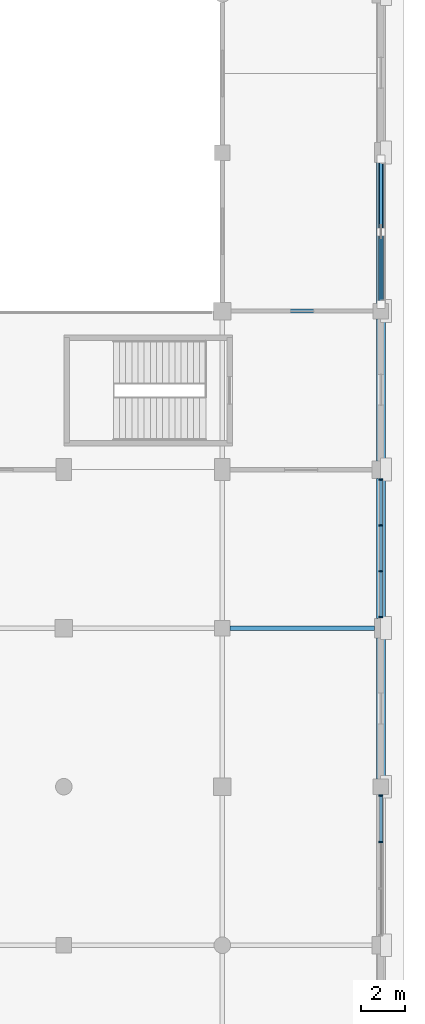
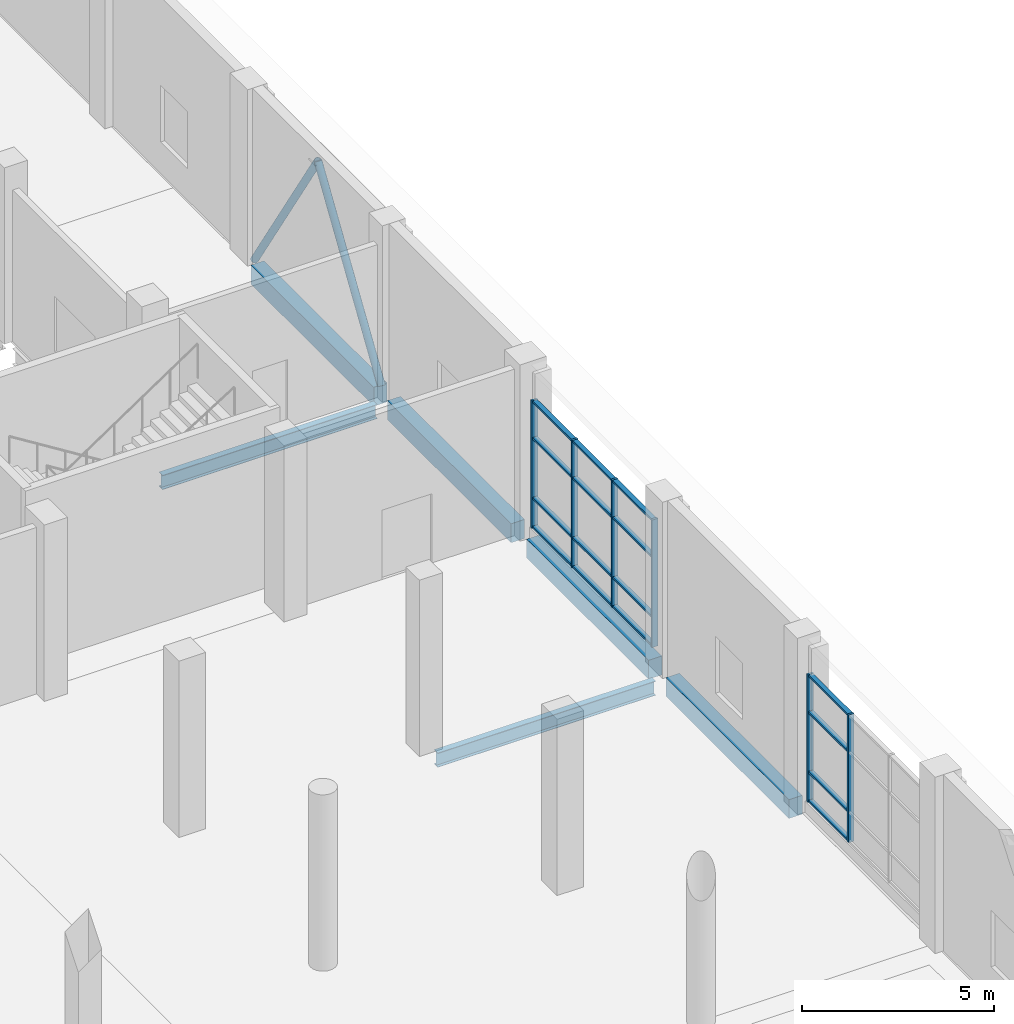
# One storey, part 32 of 80: 24 members, 6 beams, 2 elements without a shape of their own.
"""IFC4 building model written with IfcOpenShell, lengths in metres."""

from ifc_helpers import new_model, si_unit, direction, frame, origin, origin_2d, place, context, subcontext, project, spatial, rectangle, hollow_circle, i_section, extrude, material, material_profile, profile_set, type_object, element, aggregate, save


model = new_model("IFC4")

# Units and contexts
model_context = context("Model", 3, precision=1e-05, world=origin(), true_north=direction((0.0, 1.0)))
body_context = subcontext(model_context, "Body", "Model", "MODEL_VIEW")
ifc_project = project(units=[si_unit("LENGTHUNIT", "METRE"), si_unit("AREAUNIT", "SQUARE_METRE"), si_unit("VOLUMEUNIT", "CUBIC_METRE"), si_unit("PLANEANGLEUNIT", "RADIAN"), si_unit("MASSUNIT", "GRAM", prefix="KILO")], contexts=[model_context])

# Site, building, storey
site_placement = place(None, origin())
site = spatial("IfcSite", under=ifc_project, at=site_placement, CompositionType="ELEMENT")
building_placement = place(site_placement, origin())
building = spatial("IfcBuilding", under=site, at=building_placement, Name="Sardonyx Promenade Sports Hall", CompositionType="ELEMENT")
storey_placement = place(building_placement, frame((0.0, 0.0, 5.60009765625)))
storey = spatial("IfcBuildingStorey", under=building, at=storey_placement, Name="L01", CompositionType="ELEMENT", Elevation=5.60009765625)

# Beams
ifc_material_1 = material(Name="Steel S355JR", Category="steel")
ifc_material_profile_1 = material_profile(ifc_material_1, i_section(OverallWidth=0.18994140625, OverallDepth=0.453369140625, WebThickness=0.008544921875, FlangeThickness=0.0126953125, at=origin_2d()))
ifc_profile_set_1 = profile_set([ifc_material_profile_1], Name="Steel S355JR")
beam_type_1 = type_object("IfcBeamType", Name="Bm_Girder_UB457", PredefinedType="BEAM", material=ifc_profile_set_1)
beam_1_placement = place(storey_placement, frame((158.75, 43.199951171875, -0.516845703125), z_axis=(1.0, 0.0, 0.0), x_axis=(0.0, 1.0, 0.0)))
element("IfcBeam", 1, at=beam_1_placement, inside=storey, type_object=beam_type_1, Name="Beam SB01 L01 #250", PredefinedType="BEAM", context=body_context, shape_type="SweptSolid", body=[
    extrude(i_section(OverallWidth=0.18994140625, OverallDepth=0.453369140625, WebThickness=0.008544921875, FlangeThickness=0.0126953125, at=origin_2d()), origin(), (0.0, 0.0, 1.0), 6.550048828125),
])
beam_2_placement = place(storey_placement, frame((158.800048828125, 57.60009765625, -0.44677734375), z_axis=(1.0, 0.0, 0.0), x_axis=(0.0, 1.0, 0.0)))
element("IfcBeam", 2, at=beam_2_placement, inside=storey, type_object=beam_type_1, Name="Beam SB01 L01 #257", PredefinedType="BEAM", context=body_context, shape_type="SweptSolid", body=[
    extrude(i_section(OverallWidth=0.18994140625, OverallDepth=0.453369140625, WebThickness=0.008544921875, FlangeThickness=0.0126953125, at=origin_2d()), origin(), (0.0, 0.0, 1.0), 6.449951171875),
])
ifc_material_2 = material(Name="Concrete C40/50", Category="concrete")
ifc_material_profile_2 = material_profile(ifc_material_2, rectangle(XDim=0.39990234375, YDim=0.60009765625, at=origin_2d()))
ifc_profile_set_2 = profile_set([ifc_material_profile_2], Name="Concrete C40/50")
beam_type_2 = type_object("IfcBeamType", Name="Bm_Spandrel_RC600", PredefinedType="SPANDREL", material=ifc_profile_set_2)
beam_3_placement = place(storey_placement, frame((165.60009765625, 36.35009765625, -0.300048828125), z_axis=(0.0, 1.0, 0.0), x_axis=(-1.0, 0.0, 0.0)))
element("IfcBeam", 3, at=beam_3_placement, inside=storey, type_object=beam_type_2, Name="Beam SPB1 L01 #440", PredefinedType="SPANDREL", context=body_context, shape_type="SweptSolid", body=[
    extrude(rectangle(XDim=0.39990234375, YDim=0.60009765625, at=origin_2d()), origin(), (0.0, 0.0, 1.0), 6.39990234375),
])
beam_4_placement = place(storey_placement, frame((165.60009765625, 43.64990234375, -0.300048828125), z_axis=(0.0, 1.0, 0.0), x_axis=(-1.0, 0.0, 0.0)))
element("IfcBeam", 4, at=beam_4_placement, inside=storey, type_object=beam_type_2, Name="Beam SPB1 L01 #441", PredefinedType="SPANDREL", context=body_context, shape_type="SweptSolid", body=[
    extrude(rectangle(XDim=0.39990234375, YDim=0.60009765625, at=origin_2d()), origin(), (0.0, 0.0, 1.0), 6.35009765625),
])
beam_5_placement = place(storey_placement, frame((165.60009765625, 50.800048828125, -0.300048828125), z_axis=(0.0, 1.0, 0.0), x_axis=(-1.0, 0.0, 0.0)))
element("IfcBeam", 5, at=beam_5_placement, inside=storey, type_object=beam_type_2, Name="Beam SPB1 L01 #442", PredefinedType="SPANDREL", context=body_context, shape_type="SweptSolid", body=[
    extrude(rectangle(XDim=0.39990234375, YDim=0.60009765625, at=origin_2d()), origin(), (0.0, 0.0, 1.0), 6.449951171875),
])
beam_6_placement = place(storey_placement, frame((165.60009765625, 57.949951171875, -0.300048828125), z_axis=(0.0, 1.0, 0.0), x_axis=(-1.0, 0.0, 0.0)))
element("IfcBeam", 6, at=beam_6_placement, inside=storey, type_object=beam_type_2, Name="Beam SPB1 L01 #443", PredefinedType="SPANDREL", context=body_context, shape_type="SweptSolid", body=[
    extrude(rectangle(XDim=0.39990234375, YDim=0.60009765625, at=origin_2d()), origin(), (0.0, 0.0, 1.0), 6.400146484375),
])

# Curtain wall, members
ifc_material_3 = material(Name="Aluminium 6063-T6", Category="aluminium")
curtain_wall_type = type_object("IfcCurtainWallType", Name="CW_EastWing_L01", PredefinedType="USERDEFINED", material=ifc_material_3)
curtain_wall_1_placement = place(storey_placement, origin())
curtain_wall_1 = element("IfcCurtainWall", 7, at=curtain_wall_1_placement, inside=storey, type_object=curtain_wall_type, Name="Curtain wall CW15 cw:L01:052", ObjectType="CURTAIN WALL", PredefinedType="USERDEFINED")
ifc_material_4 = material(Name="Aluminium 6063-T6", Category="aluminium")
ifc_material_profile_3 = material_profile(ifc_material_4, rectangle(XDim=0.06494140625, YDim=0.175048828125, at=origin_2d()))
ifc_profile_set_3 = profile_set([ifc_material_profile_3], Name="Aluminium 6063-T6")
member_type_1 = type_object("IfcMemberType", Name="CW_Mull_175", PredefinedType="MULLION", material=ifc_profile_set_3)
member_1_placement = place(storey_placement, frame((165.60009765625, 49.947509765625, 0.349853515625), z_axis=(0.0, 0.0, 1.0), x_axis=(0.0, -1.0, 0.0)))
member_1 = element("IfcMember", 8, at=member_1_placement, type_object=member_type_1, Name="Mullion CM02 cw:L01:052 #1", PredefinedType="MULLION", context=body_context, shape_type="SweptSolid", body=[
    extrude(rectangle(XDim=0.06494140625, YDim=0.175048828125, at=origin_2d()), origin(), (0.0, 0.0, 1.0), 4.050048828125),
])
member_2_placement = place(storey_placement, frame((165.60009765625, 47.86572265625, 0.349853515625), z_axis=(0.0, 0.0, 1.0), x_axis=(0.0, -1.0, 0.0)))
member_2 = element("IfcMember", 9, at=member_2_placement, type_object=member_type_1, Name="Mullion CM02 cw:L01:052 #2", PredefinedType="MULLION", context=body_context, shape_type="SweptSolid", body=[
    extrude(rectangle(XDim=0.06494140625, YDim=0.175048828125, at=origin_2d()), origin(), (0.0, 0.0, 1.0), 4.050048828125),
])
member_3_placement = place(storey_placement, frame((165.60009765625, 45.7841796875, 0.349853515625), z_axis=(0.0, 0.0, 1.0), x_axis=(0.0, -1.0, 0.0)))
member_3 = element("IfcMember", 10, at=member_3_placement, type_object=member_type_1, Name="Mullion CM02 cw:L01:052 #3", PredefinedType="MULLION", context=body_context, shape_type="SweptSolid", body=[
    extrude(rectangle(XDim=0.06494140625, YDim=0.175048828125, at=origin_2d()), origin(), (0.0, 0.0, 1.0), 4.050048828125),
])
member_4_placement = place(storey_placement, frame((165.60009765625, 43.702392578125, 0.349853515625), z_axis=(0.0, 0.0, 1.0), x_axis=(0.0, -1.0, 0.0)))
member_4 = element("IfcMember", 11, at=member_4_placement, type_object=member_type_1, Name="Mullion CM02 cw:L01:052 #4", PredefinedType="MULLION", context=body_context, shape_type="SweptSolid", body=[
    extrude(rectangle(XDim=0.06494140625, YDim=0.175048828125, at=origin_2d()), origin(), (0.0, 0.0, 1.0), 4.050048828125),
])

curtain_wall_2_placement = place(storey_placement, origin())
curtain_wall_2 = element("IfcCurtainWall", 12, at=curtain_wall_2_placement, inside=storey, type_object=curtain_wall_type, Name="Curtain wall CW15 cw:L01:053", ObjectType="CURTAIN WALL", PredefinedType="USERDEFINED")
member_5_placement = place(storey_placement, frame((165.60009765625, 35.597412109375, 0.349853515625), z_axis=(0.0, 0.0, 1.0), x_axis=(0.0, -1.0, 0.0)))
member_5 = element("IfcMember", 13, at=member_5_placement, type_object=member_type_1, Name="Mullion CM02 cw:L01:053 #1", PredefinedType="MULLION", context=body_context, shape_type="SweptSolid", body=[
    extrude(rectangle(XDim=0.06494140625, YDim=0.175048828125, at=origin_2d()), origin(), (0.0, 0.0, 1.0), 4.050048828125),
])
member_6_placement = place(storey_placement, frame((165.60009765625, 33.482421875, 0.349853515625), z_axis=(0.0, 0.0, 1.0), x_axis=(0.0, -1.0, 0.0)))
member_6 = element("IfcMember", 14, at=member_6_placement, type_object=member_type_1, Name="Mullion CM02 cw:L01:053 #2", PredefinedType="MULLION", context=body_context, shape_type="SweptSolid", body=[
    extrude(rectangle(XDim=0.06494140625, YDim=0.175048828125, at=origin_2d()), origin(), (0.0, 0.0, 1.0), 4.050048828125),
])

# Member
ifc_material_5 = material(Name="Aluminium 6063-T6", Category="aluminium")
ifc_material_profile_4 = material_profile(ifc_material_5, rectangle(XDim=0.06494140625, YDim=0.139892578125, at=origin_2d()))
ifc_profile_set_4 = profile_set([ifc_material_profile_4], Name="Aluminium 6063-T6")
member_type_2 = type_object("IfcMemberType", Name="CW_Tran_140", PredefinedType="USERDEFINED", material=ifc_profile_set_4)
member_7_placement = place(storey_placement, frame((165.60009765625, 49.9150390625, 0.38232421875), z_axis=(0.0, -1.0, 0.0), x_axis=(0.0, 0.0, 1.0)))
member_7 = element("IfcMember", 15, at=member_7_placement, type_object=member_type_2, Name="Transom CT02 cw:L01:052 #1", ObjectType="TRANSOM", PredefinedType="USERDEFINED", context=body_context, shape_type="SweptSolid", body=[
    extrude(rectangle(XDim=0.06494140625, YDim=0.139892578125, at=origin_2d()), origin(), (0.0, 0.0, 1.0), 2.0166015625),
])

member_8_placement = place(storey_placement, frame((165.60009765625, 49.9150390625, 1.2998046875), z_axis=(0.0, -1.0, 0.0), x_axis=(0.0, 0.0, 1.0)))
member_8 = element("IfcMember", 16, at=member_8_placement, type_object=member_type_2, Name="Transom CT02 cw:L01:052 #2", ObjectType="TRANSOM", PredefinedType="USERDEFINED", context=body_context, shape_type="SweptSolid", body=[
    extrude(rectangle(XDim=0.06494140625, YDim=0.139892578125, at=origin_2d()), origin(), (0.0, 0.0, 1.0), 2.0166015625),
])

member_9_placement = place(storey_placement, frame((165.60009765625, 49.9150390625, 3.199951171875), z_axis=(0.0, -1.0, 0.0), x_axis=(0.0, 0.0, 1.0)))
member_9 = element("IfcMember", 17, at=member_9_placement, type_object=member_type_2, Name="Transom CT02 cw:L01:052 #3", ObjectType="TRANSOM", PredefinedType="USERDEFINED", context=body_context, shape_type="SweptSolid", body=[
    extrude(rectangle(XDim=0.06494140625, YDim=0.139892578125, at=origin_2d()), origin(), (0.0, 0.0, 1.0), 2.0166015625),
])

member_10_placement = place(storey_placement, frame((165.60009765625, 49.9150390625, 4.367431640625), z_axis=(0.0, -1.0, 0.0), x_axis=(0.0, 0.0, 1.0)))
member_10 = element("IfcMember", 18, at=member_10_placement, type_object=member_type_2, Name="Transom CT02 cw:L01:052 #4", ObjectType="TRANSOM", PredefinedType="USERDEFINED", context=body_context, shape_type="SweptSolid", body=[
    extrude(rectangle(XDim=0.06494140625, YDim=0.139892578125, at=origin_2d()), origin(), (0.0, 0.0, 1.0), 2.0166015625),
])

member_11_placement = place(storey_placement, frame((165.60009765625, 47.833251953125, 0.38232421875), z_axis=(0.0, -1.0, 0.0), x_axis=(0.0, 0.0, 1.0)))
member_11 = element("IfcMember", 19, at=member_11_placement, type_object=member_type_2, Name="Transom CT02 cw:L01:052 #5", ObjectType="TRANSOM", PredefinedType="USERDEFINED", context=body_context, shape_type="SweptSolid", body=[
    extrude(rectangle(XDim=0.06494140625, YDim=0.139892578125, at=origin_2d()), origin(), (0.0, 0.0, 1.0), 2.0166015625),
])

member_12_placement = place(storey_placement, frame((165.60009765625, 47.833251953125, 1.2998046875), z_axis=(0.0, -1.0, 0.0), x_axis=(0.0, 0.0, 1.0)))
member_12 = element("IfcMember", 20, at=member_12_placement, type_object=member_type_2, Name="Transom CT02 cw:L01:052 #6", ObjectType="TRANSOM", PredefinedType="USERDEFINED", context=body_context, shape_type="SweptSolid", body=[
    extrude(rectangle(XDim=0.06494140625, YDim=0.139892578125, at=origin_2d()), origin(), (0.0, 0.0, 1.0), 2.0166015625),
])

member_13_placement = place(storey_placement, frame((165.60009765625, 47.833251953125, 3.199951171875), z_axis=(0.0, -1.0, 0.0), x_axis=(0.0, 0.0, 1.0)))
member_13 = element("IfcMember", 21, at=member_13_placement, type_object=member_type_2, Name="Transom CT02 cw:L01:052 #7", ObjectType="TRANSOM", PredefinedType="USERDEFINED", context=body_context, shape_type="SweptSolid", body=[
    extrude(rectangle(XDim=0.06494140625, YDim=0.139892578125, at=origin_2d()), origin(), (0.0, 0.0, 1.0), 2.0166015625),
])

member_14_placement = place(storey_placement, frame((165.60009765625, 47.833251953125, 4.367431640625), z_axis=(0.0, -1.0, 0.0), x_axis=(0.0, 0.0, 1.0)))
member_14 = element("IfcMember", 22, at=member_14_placement, type_object=member_type_2, Name="Transom CT02 cw:L01:052 #8", ObjectType="TRANSOM", PredefinedType="USERDEFINED", context=body_context, shape_type="SweptSolid", body=[
    extrude(rectangle(XDim=0.06494140625, YDim=0.139892578125, at=origin_2d()), origin(), (0.0, 0.0, 1.0), 2.0166015625),
])

member_15_placement = place(storey_placement, frame((165.60009765625, 45.751708984375, 0.38232421875), z_axis=(0.0, -1.0, 0.0), x_axis=(0.0, 0.0, 1.0)))
member_15 = element("IfcMember", 23, at=member_15_placement, type_object=member_type_2, Name="Transom CT02 cw:L01:052 #9", ObjectType="TRANSOM", PredefinedType="USERDEFINED", context=body_context, shape_type="SweptSolid", body=[
    extrude(rectangle(XDim=0.06494140625, YDim=0.139892578125, at=origin_2d()), origin(), (0.0, 0.0, 1.0), 2.0166015625),
])

member_16_placement = place(storey_placement, frame((165.60009765625, 45.751708984375, 1.2998046875), z_axis=(0.0, -1.0, 0.0), x_axis=(0.0, 0.0, 1.0)))
member_16 = element("IfcMember", 24, at=member_16_placement, type_object=member_type_2, Name="Transom CT02 cw:L01:052 #10", ObjectType="TRANSOM", PredefinedType="USERDEFINED", context=body_context, shape_type="SweptSolid", body=[
    extrude(rectangle(XDim=0.06494140625, YDim=0.139892578125, at=origin_2d()), origin(), (0.0, 0.0, 1.0), 2.0166015625),
])

member_17_placement = place(storey_placement, frame((165.60009765625, 45.751708984375, 3.199951171875), z_axis=(0.0, -1.0, 0.0), x_axis=(0.0, 0.0, 1.0)))
member_17 = element("IfcMember", 25, at=member_17_placement, type_object=member_type_2, Name="Transom CT02 cw:L01:052 #11", ObjectType="TRANSOM", PredefinedType="USERDEFINED", context=body_context, shape_type="SweptSolid", body=[
    extrude(rectangle(XDim=0.06494140625, YDim=0.139892578125, at=origin_2d()), origin(), (0.0, 0.0, 1.0), 2.0166015625),
])

member_18_placement = place(storey_placement, frame((165.60009765625, 45.751708984375, 4.367431640625), z_axis=(0.0, -1.0, 0.0), x_axis=(0.0, 0.0, 1.0)))
member_18 = element("IfcMember", 26, at=member_18_placement, type_object=member_type_2, Name="Transom CT02 cw:L01:052 #12", ObjectType="TRANSOM", PredefinedType="USERDEFINED", context=body_context, shape_type="SweptSolid", body=[
    extrude(rectangle(XDim=0.06494140625, YDim=0.139892578125, at=origin_2d()), origin(), (0.0, 0.0, 1.0), 2.0166015625),
])

aggregate(curtain_wall_1, [member_1, member_2, member_3, member_4, member_7, member_8, member_9, member_10, member_11, member_12, member_13, member_14, member_15, member_16, member_17, member_18])

member_19_placement = place(storey_placement, frame((165.60009765625, 35.56494140625, 0.38232421875), z_axis=(0.0, -1.0, 0.0), x_axis=(0.0, 0.0, 1.0)))
member_19 = element("IfcMember", 27, at=member_19_placement, type_object=member_type_2, Name="Transom CT02 cw:L01:053 #1", ObjectType="TRANSOM", PredefinedType="USERDEFINED", context=body_context, shape_type="SweptSolid", body=[
    extrude(rectangle(XDim=0.06494140625, YDim=0.139892578125, at=origin_2d()), origin(), (0.0, 0.0, 1.0), 2.050048828125),
])

member_20_placement = place(storey_placement, frame((165.60009765625, 35.56494140625, 1.2998046875), z_axis=(0.0, -1.0, 0.0), x_axis=(0.0, 0.0, 1.0)))
member_20 = element("IfcMember", 28, at=member_20_placement, type_object=member_type_2, Name="Transom CT02 cw:L01:053 #2", ObjectType="TRANSOM", PredefinedType="USERDEFINED", context=body_context, shape_type="SweptSolid", body=[
    extrude(rectangle(XDim=0.06494140625, YDim=0.139892578125, at=origin_2d()), origin(), (0.0, 0.0, 1.0), 2.050048828125),
])

member_21_placement = place(storey_placement, frame((165.60009765625, 35.56494140625, 3.199951171875), z_axis=(0.0, -1.0, 0.0), x_axis=(0.0, 0.0, 1.0)))
member_21 = element("IfcMember", 29, at=member_21_placement, type_object=member_type_2, Name="Transom CT02 cw:L01:053 #3", ObjectType="TRANSOM", PredefinedType="USERDEFINED", context=body_context, shape_type="SweptSolid", body=[
    extrude(rectangle(XDim=0.06494140625, YDim=0.139892578125, at=origin_2d()), origin(), (0.0, 0.0, 1.0), 2.050048828125),
])

member_22_placement = place(storey_placement, frame((165.60009765625, 35.56494140625, 4.367431640625), z_axis=(0.0, -1.0, 0.0), x_axis=(0.0, 0.0, 1.0)))
member_22 = element("IfcMember", 30, at=member_22_placement, type_object=member_type_2, Name="Transom CT02 cw:L01:053 #4", ObjectType="TRANSOM", PredefinedType="USERDEFINED", context=body_context, shape_type="SweptSolid", body=[
    extrude(rectangle(XDim=0.06494140625, YDim=0.139892578125, at=origin_2d()), origin(), (0.0, 0.0, 1.0), 2.050048828125),
])

aggregate(curtain_wall_2, [member_5, member_6, member_19, member_20, member_21, member_22])

# Members
ifc_material_6 = material(Name="Steel S355JR", Category="steel")
ifc_material_profile_5 = material_profile(ifc_material_6, hollow_circle(Radius=0.109619140625, WallThickness=0.010009765625, at=origin_2d()))
ifc_profile_set_5 = profile_set([ifc_material_profile_5], Name="Steel S355JR")
member_type_3 = type_object("IfcMemberType", Name="Mbr_Brace_CHS219_Ext", PredefinedType="BRACE", material=ifc_profile_set_5)
for number, where, z_axis, x_axis, name in (
    (31, (165.60009765625, 57.89990234375, 0.02001953125), (0.0, 0.541020546305, 0.841009374785), (-1.0, 0.0, 0.0), "Chevron brace BR02 BF3 L01 leg 1"),
    (32, (165.60009765625, 64.5, 0.02001953125), (0.0, -0.541020546305, 0.841009374785), (1.0, 0.0, 0.0), "Chevron brace BR02 BF3 L01 leg 2"),
):
    element("IfcMember", number, at=place(storey_placement, frame(where, z_axis=z_axis, x_axis=x_axis)), inside=storey, type_object=member_type_3, Name=name, PredefinedType="BRACE", context=body_context, shape_type="SweptSolid", body=[
        extrude(hollow_circle(Radius=0.109619140625, WallThickness=0.010009765625, at=origin_2d()), origin(), (0.0, 0.0, 1.0), 6.099609375),
    ])

save(model, "model.ifc")
